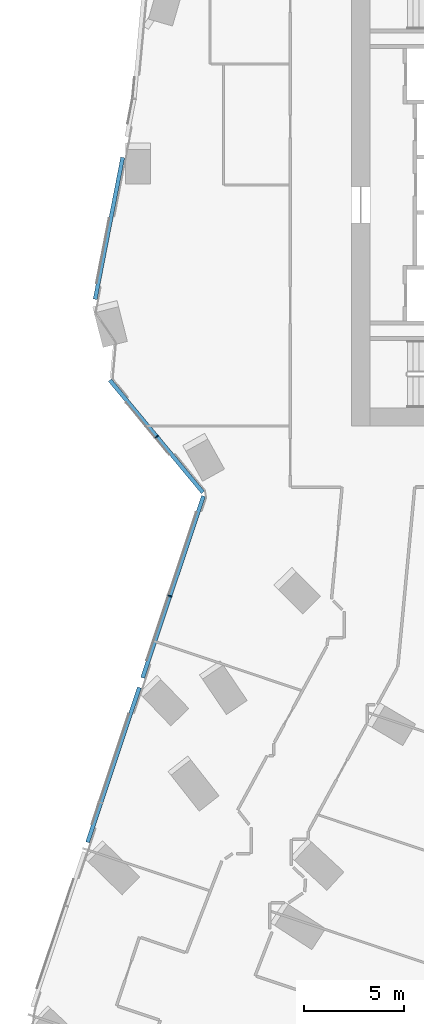
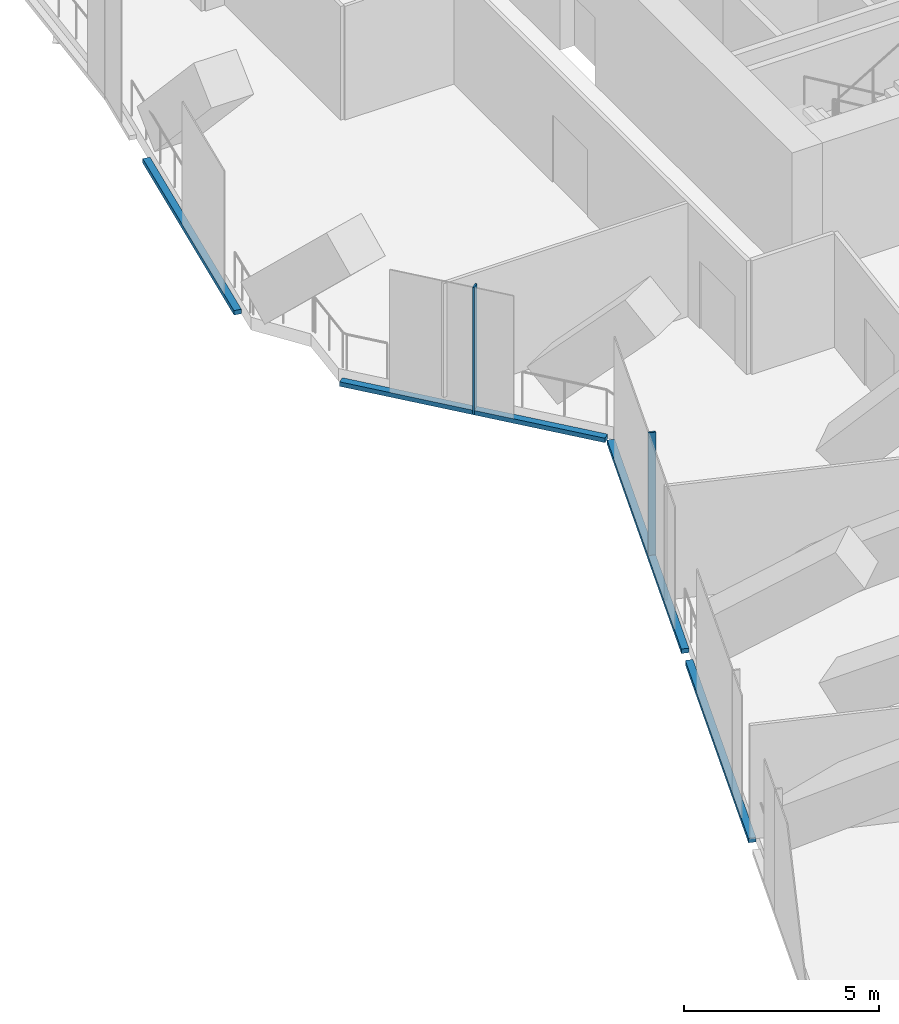
# One storey, part 6 of 28: 6 members, 3 elements without a shape of their own.
"""IFC4 building model written with IfcOpenShell, lengths in metres."""

from ifc_helpers import new_model, si_unit, direction, frame, origin, origin_2d, place, context, subcontext, project, spatial, rectangle, extrude, material, material_profile, profile_set, type_object, element, aggregate, save


model = new_model("IFC4")

# Units and contexts
model_context = context("Model", 3, precision=1e-05, world=origin(), true_north=direction((0.0, 1.0)))
body_context = subcontext(model_context, "Body", "Model", "MODEL_VIEW")
ifc_project = project(units=[si_unit("LENGTHUNIT", "METRE"), si_unit("AREAUNIT", "SQUARE_METRE"), si_unit("VOLUMEUNIT", "CUBIC_METRE"), si_unit("PLANEANGLEUNIT", "RADIAN"), si_unit("MASSUNIT", "GRAM", prefix="KILO")], contexts=[model_context])

# Site, building, storey
site_placement = place(None, origin())
site = spatial("IfcSite", under=ifc_project, at=site_placement, CompositionType="ELEMENT")
building_placement = place(site_placement, origin())
building = spatial("IfcBuilding", under=site, at=building_placement, Name="Orlundy Tower", CompositionType="ELEMENT")
storey_placement = place(building_placement, frame((0.0, 0.0, 163.10009765625)))
storey = spatial("IfcBuildingStorey", under=building, at=storey_placement, Name="L42", CompositionType="ELEMENT", Elevation=163.10009765625)

# Curtain wall, member
ifc_material_1 = material(Name="Aluminium bronze anodised", Category="aluminium")
curtain_wall_type = type_object("IfcCurtainWallType", Name="CW5 wall", PredefinedType="NOTDEFINED", material=ifc_material_1)
curtain_wall_1_placement = place(storey_placement, origin())
curtain_wall_1 = element("IfcCurtainWall", 1, at=curtain_wall_1_placement, inside=storey, type_object=curtain_wall_type, Name="CW5 run 043", PredefinedType="NOTDEFINED")
ifc_material_2 = material(Name="Aluminium bronze anodised", Category="aluminium")
ifc_material_profile_1 = material_profile(ifc_material_2, rectangle(XDim=0.199951171875, YDim=0.050048828125, at=origin_2d()), Name="CW5 mullion 50x200")
ifc_profile_set_1 = profile_set([ifc_material_profile_1], Name="Aluminium bronze anodised")
member_type_1 = type_object("IfcMemberType", Name="CW5 mullion 50x200", PredefinedType="MULLION", material=ifc_profile_set_1)
member_1_placement = place(storey_placement, frame((-28.046142578125, -20.474365234375, -0.400146484375), z_axis=(0.0, 0.0, 1.0), x_axis=(-0.948321131732, 0.317312198176, 0.0)))
member_1 = element("IfcMember", 2, at=member_1_placement, type_object=member_type_1, Name="CW5 mullion 67", PredefinedType="MULLION", context=body_context, shape_type="SweptSolid", body=[
    extrude(rectangle(XDim=0.199951171875, YDim=0.050048828125, at=origin_2d()), origin(), (0.0, 0.0, 1.0), 3.97998046875),
])

curtain_wall_2_placement = place(storey_placement, origin())
curtain_wall_2 = element("IfcCurtainWall", 3, at=curtain_wall_2_placement, inside=storey, type_object=curtain_wall_type, Name="CW5 run 044", PredefinedType="NOTDEFINED")
member_2_placement = place(storey_placement, frame((-28.705078125, -12.538330078125, -0.400146484375), z_axis=(0.0, 0.0, 1.0), x_axis=(-0.769757960397, -0.63833586959, 0.0)))
member_2 = element("IfcMember", 4, at=member_2_placement, type_object=member_type_1, Name="CW5 mullion 69", PredefinedType="MULLION", context=body_context, shape_type="SweptSolid", body=[
    extrude(rectangle(XDim=0.199951171875, YDim=0.050048828125, at=origin_2d()), origin(), (0.0, 0.0, 1.0), 3.97998046875),
])

curtain_wall_3_placement = place(storey_placement, origin())
curtain_wall_3 = element("IfcCurtainWall", 5, at=curtain_wall_3_placement, inside=storey, type_object=curtain_wall_type, Name="CW5 run 02", PredefinedType="NOTDEFINED")
ifc_material_3 = material(Name="Aluminium bronze anodised", Category="aluminium")
ifc_material_profile_2 = material_profile(ifc_material_3, rectangle(XDim=0.199951171875, YDim=0.139892578125, at=origin_2d()), Name="CW5 transom 200x140")
ifc_profile_set_2 = profile_set([ifc_material_profile_2], Name="Aluminium bronze anodised")
member_type_2 = type_object("IfcMemberType", Name="CW5 transom 200x140", PredefinedType="USERDEFINED", material=ifc_profile_set_2)
member_3_placement = place(storey_placement, frame((-31.77099609375, -5.6982421875, -0.330078125), z_axis=(0.190763284403, 0.981636067656, 0.0), x_axis=(-0.981636067656, 0.190763284403, 0.0)))
member_3 = element("IfcMember", 6, at=member_3_placement, type_object=member_type_2, Name="CW5 transom", ObjectType="TRANSOM", PredefinedType="USERDEFINED", context=body_context, shape_type="SweptSolid", body=[
    extrude(rectangle(XDim=0.199951171875, YDim=0.139892578125, at=origin_2d()), origin(), (0.0, 0.0, 1.0), 7.1875),
])
aggregate(curtain_wall_3, [member_3])

# Member
member_4_placement = place(storey_placement, frame((-32.1455078125, -32.72607421875, -0.330078125), z_axis=(0.31730096875, 0.948324889071, 0.0), x_axis=(-0.948324889071, 0.31730096875, 0.0)))
member_4 = element("IfcMember", 7, at=member_4_placement, type_object=member_type_2, Name="CW5 transom", ObjectType="TRANSOM", PredefinedType="USERDEFINED", context=body_context, shape_type="SweptSolid", body=[
    extrude(rectangle(XDim=0.199951171875, YDim=0.139892578125, at=origin_2d()), origin(), (0.0, 0.0, 1.0), 8.119873046875),
])

member_5_placement = place(storey_placement, frame((-29.406005859375, -24.5390625, -0.330078125), z_axis=(0.317295374362, 0.948326760884, 0.0), x_axis=(-0.948326760884, 0.317295374362, 0.0)))
member_5 = element("IfcMember", 8, at=member_5_placement, type_object=member_type_2, Name="CW5 transom", ObjectType="TRANSOM", PredefinedType="USERDEFINED", context=body_context, shape_type="SweptSolid", body=[
    extrude(rectangle(XDim=0.199951171875, YDim=0.139892578125, at=origin_2d()), origin(), (0.0, 0.0, 1.0), 9.5341796875),
])

aggregate(curtain_wall_1, [member_1, member_4, member_5])

member_6_placement = place(storey_placement, frame((-26.4072265625, -15.30908203125, -0.330078125), z_axis=(-0.638338787726, 0.769755540471, 0.0), x_axis=(-0.769755540471, -0.638338787726, 0.0)))
member_6 = element("IfcMember", 9, at=member_6_placement, type_object=member_type_2, Name="CW5 transom", ObjectType="TRANSOM", PredefinedType="USERDEFINED", context=body_context, shape_type="SweptSolid", body=[
    extrude(rectangle(XDim=0.199951171875, YDim=0.139892578125, at=origin_2d()), origin(), (0.0, 0.0, 1.0), 7.254638671875),
])

aggregate(curtain_wall_2, [member_2, member_6])

save(model, "model.ifc")
